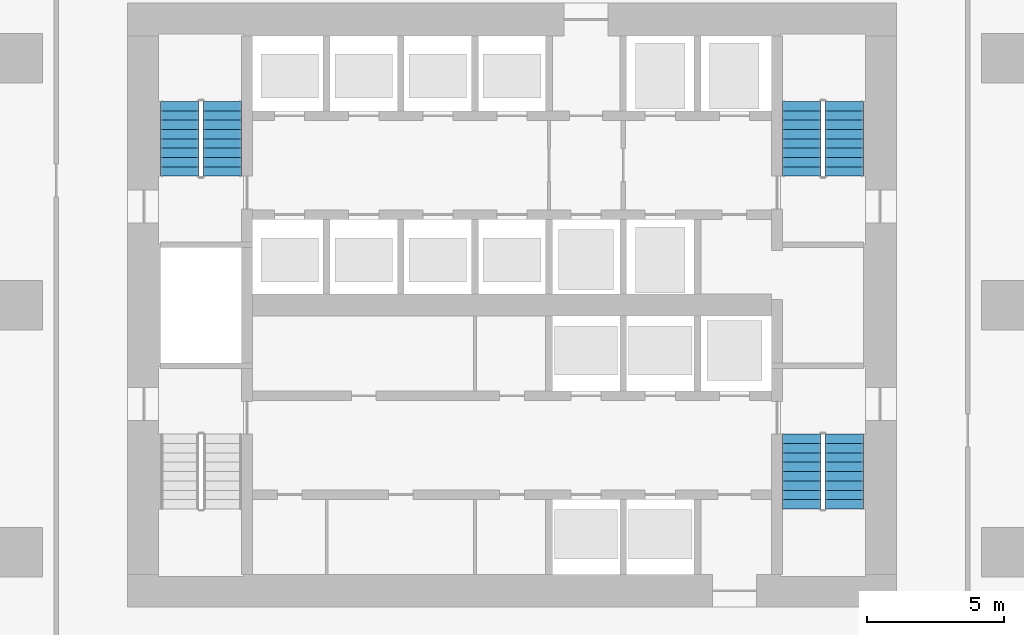
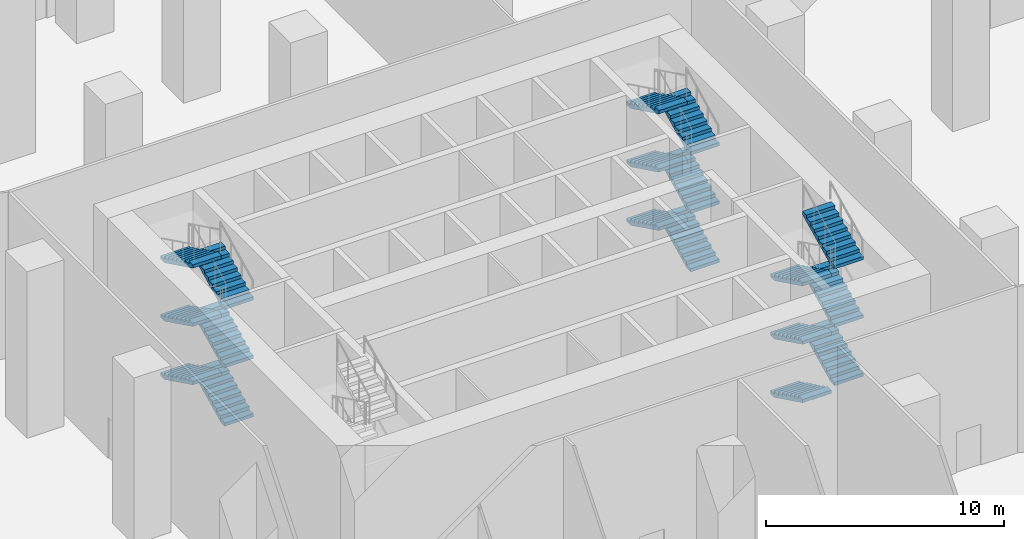
# One storey, part 35 of 40: 18 stair flights, 3 elements without a shape of their own.
"""IFC4 building model written with IfcOpenShell, lengths in metres."""

from ifc_helpers import new_model, si_unit, direction, frame, origin, place, context, subcontext, project, spatial, polyline, outline, extrude, material, layer, layer_set, type_object, element, aggregate, save


model = new_model("IFC4")

# Units and contexts
model_context = context("Model", 3, precision=1e-05, world=origin(), true_north=direction((0.0, 1.0)))
body_context = subcontext(model_context, "Body", "Model", "MODEL_VIEW")
ifc_project = project(units=[si_unit("LENGTHUNIT", "METRE"), si_unit("AREAUNIT", "SQUARE_METRE"), si_unit("VOLUMEUNIT", "CUBIC_METRE"), si_unit("PLANEANGLEUNIT", "RADIAN"), si_unit("MASSUNIT", "GRAM", prefix="KILO")], contexts=[model_context])

# Site, building, storey
site_placement = place(None, origin())
site = spatial("IfcSite", under=ifc_project, at=site_placement, CompositionType="ELEMENT")
building_placement = place(site_placement, origin())
building = spatial("IfcBuilding", under=site, at=building_placement, Name="Dongbaek Canopy Tower", CompositionType="ELEMENT")
storey_placement = place(building_placement, origin())
storey = spatial("IfcBuildingStorey", under=building, at=storey_placement, Name="L00", CompositionType="ELEMENT", Elevation=0.0)

# Stair, stair flights
ifc_material_1 = material(Name="Concrete C40/50", Category="concrete")
stair_type = type_object("IfcStairType", Name="Core exit stair", PredefinedType="HALF_TURN_STAIR", material=ifc_material_1)
stair_1_placement = place(storey_placement, origin())
stair_1 = element("IfcStair", 1, at=stair_1_placement, inside=storey, type_object=stair_type, Name="L00 exit stair A", PredefinedType="HALF_TURN_STAIR")
ifc_material_2 = material(Name="Concrete C40/50", Category="concrete")
ifc_layer = layer(ifc_material_2, 0.14990234375)
ifc_layer_set = layer_set([ifc_layer], Name="Core stair flight 150 waist")
stair_flight_type = type_object("IfcStairFlightType", Name="Core stair flight 150 waist", PredefinedType="STRAIGHT", material=ifc_layer_set)
stair_flight_1_placement = place(storey_placement, frame((12.10009765625, 4.699951171875, 0.0), z_axis=(0.0, 0.0, 1.0), x_axis=(0.0, 1.0, 0.0)))
stair_flight_1 = element("IfcStairFlight", 2, at=stair_flight_1_placement, type_object=stair_flight_type, Name="ST-A flight 1", NumberOfRisers=9, NumberOfTreads=8, PredefinedType="STRAIGHT", RiserHeight=0.166666667, TreadLength=0.34, context=body_context, shape_type="SweptSolid", body=[
    extrude(outline(polyline([(0.0, 0.0), (0.0, 0.166748046875), (0.340087890625, 0.166748046875), (0.340087890625, 0.333251953125), (0.679931640625, 0.333251953125), (0.679931640625, 0.5), (1.02001953125, 0.5), (1.02001953125, 0.666748046875), (1.360107421875, 0.666748046875), (1.360107421875, 0.833251953125), (1.699951171875, 0.833251953125), (1.699951171875, 1.0), (2.0400390625, 1.0), (2.0400390625, 1.166748046875), (2.3798828125, 1.166748046875), (2.3798828125, 1.333251953125), (2.719970703125, 1.333251953125), (2.719970703125, 1.5), (2.719970703125, 1.16650390625), (0.340576171875, 0.0), (0.0, 0.0)])), frame((0.0, 0.699951171875, 0.0), z_axis=(0.0, -1.0, 0.0), x_axis=(1.0, 0.0, 0.0)), (0.0, 0.0, 1.0), 1.39990234375),
])
stair_flight_2_placement = place(storey_placement, frame((10.550048828125, 7.419921875, 1.5), z_axis=(0.0, 0.0, 1.0), x_axis=(0.0, -1.0, 0.0)))
stair_flight_2 = element("IfcStairFlight", 3, at=stair_flight_2_placement, type_object=stair_flight_type, Name="ST-A flight 2", NumberOfRisers=9, NumberOfTreads=8, PredefinedType="STRAIGHT", RiserHeight=0.166666667, TreadLength=0.34, context=body_context, shape_type="SweptSolid", body=[
    extrude(outline(polyline([(0.0, 0.0), (0.0, 0.166748046875), (0.340087890625, 0.166748046875), (0.340087890625, 0.333251953125), (0.679931640625, 0.333251953125), (0.679931640625, 0.5), (1.02001953125, 0.5), (1.02001953125, 0.666748046875), (1.360107421875, 0.666748046875), (1.360107421875, 0.833251953125), (1.699951171875, 0.833251953125), (1.699951171875, 1.0), (2.0400390625, 1.0), (2.0400390625, 1.166748046875), (2.3798828125, 1.166748046875), (2.3798828125, 1.333251953125), (2.719970703125, 1.333251953125), (2.719970703125, 1.5), (2.719970703125, 1.16650390625), (0.340576171875, 0.0), (0.0, 0.0)])), frame((0.0, 0.699951171875, 0.0), z_axis=(0.0, -1.0, 0.0), x_axis=(1.0, 0.0, 0.0)), (0.0, 0.0, 1.0), 1.39990234375),
])
stair_flight_3_placement = place(storey_placement, frame((12.10009765625, 4.699951171875, 3.0), z_axis=(0.0, 0.0, 1.0), x_axis=(0.0, 1.0, 0.0)))
stair_flight_3 = element("IfcStairFlight", 4, at=stair_flight_3_placement, type_object=stair_flight_type, Name="ST-A flight 3", NumberOfRisers=9, NumberOfTreads=8, PredefinedType="STRAIGHT", RiserHeight=0.166666667, TreadLength=0.34, context=body_context, shape_type="SweptSolid", body=[
    extrude(outline(polyline([(0.0, 0.0), (0.0, 0.166748046875), (0.340087890625, 0.166748046875), (0.340087890625, 0.333251953125), (0.679931640625, 0.333251953125), (0.679931640625, 0.5), (1.02001953125, 0.5), (1.02001953125, 0.666748046875), (1.360107421875, 0.666748046875), (1.360107421875, 0.833251953125), (1.699951171875, 0.833251953125), (1.699951171875, 1.0), (2.0400390625, 1.0), (2.0400390625, 1.166748046875), (2.3798828125, 1.166748046875), (2.3798828125, 1.333251953125), (2.719970703125, 1.333251953125), (2.719970703125, 1.5), (2.719970703125, 1.16650390625), (0.340576171875, 0.0), (0.0, 0.0)])), frame((0.0, 0.699951171875, 0.0), z_axis=(0.0, -1.0, 0.0), x_axis=(1.0, 0.0, 0.0)), (0.0, 0.0, 1.0), 1.39990234375),
])
stair_flight_4_placement = place(storey_placement, frame((10.550048828125, 7.419921875, 4.5), z_axis=(0.0, 0.0, 1.0), x_axis=(0.0, -1.0, 0.0)))
stair_flight_4 = element("IfcStairFlight", 5, at=stair_flight_4_placement, type_object=stair_flight_type, Name="ST-A flight 4", NumberOfRisers=9, NumberOfTreads=8, PredefinedType="STRAIGHT", RiserHeight=0.166666667, TreadLength=0.34, context=body_context, shape_type="SweptSolid", body=[
    extrude(outline(polyline([(0.0, 0.0), (0.0, 0.166748046875), (0.340087890625, 0.166748046875), (0.340087890625, 0.333251953125), (0.679931640625, 0.333251953125), (0.679931640625, 0.5), (1.02001953125, 0.5), (1.02001953125, 0.666748046875), (1.360107421875, 0.666748046875), (1.360107421875, 0.833251953125), (1.699951171875, 0.833251953125), (1.699951171875, 1.0), (2.0400390625, 1.0), (2.0400390625, 1.166748046875), (2.3798828125, 1.166748046875), (2.3798828125, 1.333251953125), (2.719970703125, 1.333251953125), (2.719970703125, 1.5), (2.719970703125, 1.16650390625), (0.340576171875, 0.0), (0.0, 0.0)])), frame((0.0, 0.699951171875, 0.0), z_axis=(0.0, -1.0, 0.0), x_axis=(1.0, 0.0, 0.0)), (0.0, 0.0, 1.0), 1.39990234375),
])
stair_flight_5_placement = place(storey_placement, frame((12.10009765625, 4.699951171875, 6.0), z_axis=(0.0, 0.0, 1.0), x_axis=(0.0, 1.0, 0.0)))
stair_flight_5 = element("IfcStairFlight", 6, at=stair_flight_5_placement, type_object=stair_flight_type, Name="ST-A flight 5", NumberOfRisers=9, NumberOfTreads=8, PredefinedType="STRAIGHT", RiserHeight=0.166666667, TreadLength=0.34, context=body_context, shape_type="SweptSolid", body=[
    extrude(outline(polyline([(0.0, 0.0), (0.0, 0.166748046875), (0.340087890625, 0.166748046875), (0.340087890625, 0.333251953125), (0.679931640625, 0.333251953125), (0.679931640625, 0.5), (1.02001953125, 0.5), (1.02001953125, 0.666748046875), (1.360107421875, 0.666748046875), (1.360107421875, 0.833251953125), (1.699951171875, 0.833251953125), (1.699951171875, 1.0), (2.0400390625, 1.0), (2.0400390625, 1.166748046875), (2.3798828125, 1.166748046875), (2.3798828125, 1.333251953125), (2.719970703125, 1.333251953125), (2.719970703125, 1.5), (2.719970703125, 1.16650390625), (0.340576171875, 0.0), (0.0, 0.0)])), frame((0.0, 0.699951171875, 0.0), z_axis=(0.0, -1.0, 0.0), x_axis=(1.0, 0.0, 0.0)), (0.0, 0.0, 1.0), 1.39990234375),
])
stair_flight_6_placement = place(storey_placement, frame((10.550048828125, 7.419921875, 7.5), z_axis=(0.0, 0.0, 1.0), x_axis=(0.0, -1.0, 0.0)))
stair_flight_6 = element("IfcStairFlight", 7, at=stair_flight_6_placement, type_object=stair_flight_type, Name="ST-A flight 6", NumberOfRisers=9, NumberOfTreads=8, PredefinedType="STRAIGHT", RiserHeight=0.166666667, TreadLength=0.34, context=body_context, shape_type="SweptSolid", body=[
    extrude(outline(polyline([(0.0, 0.0), (0.0, 0.166748046875), (0.340087890625, 0.166748046875), (0.340087890625, 0.333251953125), (0.679931640625, 0.333251953125), (0.679931640625, 0.5), (1.02001953125, 0.5), (1.02001953125, 0.666748046875), (1.360107421875, 0.666748046875), (1.360107421875, 0.833251953125), (1.699951171875, 0.833251953125), (1.699951171875, 1.0), (2.0400390625, 1.0), (2.0400390625, 1.166748046875), (2.3798828125, 1.166748046875), (2.3798828125, 1.333251953125), (2.719970703125, 1.333251953125), (2.719970703125, 1.5), (2.719970703125, 1.16650390625), (0.340576171875, 0.0), (0.0, 0.0)])), frame((0.0, 0.699951171875, 0.0), z_axis=(0.0, -1.0, 0.0), x_axis=(1.0, 0.0, 0.0)), (0.0, 0.0, 1.0), 1.39990234375),
])
aggregate(stair_1, [stair_flight_1, stair_flight_2, stair_flight_3, stair_flight_4, stair_flight_5, stair_flight_6])

stair_2_placement = place(storey_placement, origin())
stair_2 = element("IfcStair", 8, at=stair_2_placement, inside=storey, type_object=stair_type, Name="L00 exit stair C", PredefinedType="HALF_TURN_STAIR")
stair_flight_7_placement = place(storey_placement, frame((-10.550048828125, 4.699951171875, 0.0), z_axis=(0.0, 0.0, 1.0), x_axis=(0.0, 1.0, 0.0)))
stair_flight_7 = element("IfcStairFlight", 9, at=stair_flight_7_placement, type_object=stair_flight_type, Name="ST-C flight 1", NumberOfRisers=9, NumberOfTreads=8, PredefinedType="STRAIGHT", RiserHeight=0.166666667, TreadLength=0.34, context=body_context, shape_type="SweptSolid", body=[
    extrude(outline(polyline([(0.0, 0.0), (0.0, 0.166748046875), (0.340087890625, 0.166748046875), (0.340087890625, 0.333251953125), (0.679931640625, 0.333251953125), (0.679931640625, 0.5), (1.02001953125, 0.5), (1.02001953125, 0.666748046875), (1.360107421875, 0.666748046875), (1.360107421875, 0.833251953125), (1.699951171875, 0.833251953125), (1.699951171875, 1.0), (2.0400390625, 1.0), (2.0400390625, 1.166748046875), (2.3798828125, 1.166748046875), (2.3798828125, 1.333251953125), (2.719970703125, 1.333251953125), (2.719970703125, 1.5), (2.719970703125, 1.16650390625), (0.340576171875, 0.0), (0.0, 0.0)])), frame((0.0, 0.699951171875, 0.0), z_axis=(0.0, -1.0, 0.0), x_axis=(1.0, 0.0, 0.0)), (0.0, 0.0, 1.0), 1.39990234375),
])
stair_flight_8_placement = place(storey_placement, frame((-12.10009765625, 7.419921875, 1.5), z_axis=(0.0, 0.0, 1.0), x_axis=(0.0, -1.0, 0.0)))
stair_flight_8 = element("IfcStairFlight", 10, at=stair_flight_8_placement, type_object=stair_flight_type, Name="ST-C flight 2", NumberOfRisers=9, NumberOfTreads=8, PredefinedType="STRAIGHT", RiserHeight=0.166666667, TreadLength=0.34, context=body_context, shape_type="SweptSolid", body=[
    extrude(outline(polyline([(0.0, 0.0), (0.0, 0.166748046875), (0.340087890625, 0.166748046875), (0.340087890625, 0.333251953125), (0.679931640625, 0.333251953125), (0.679931640625, 0.5), (1.02001953125, 0.5), (1.02001953125, 0.666748046875), (1.360107421875, 0.666748046875), (1.360107421875, 0.833251953125), (1.699951171875, 0.833251953125), (1.699951171875, 1.0), (2.0400390625, 1.0), (2.0400390625, 1.166748046875), (2.3798828125, 1.166748046875), (2.3798828125, 1.333251953125), (2.719970703125, 1.333251953125), (2.719970703125, 1.5), (2.719970703125, 1.16650390625), (0.340576171875, 0.0), (0.0, 0.0)])), frame((0.0, 0.699951171875, 0.0), z_axis=(0.0, -1.0, 0.0), x_axis=(1.0, 0.0, 0.0)), (0.0, 0.0, 1.0), 1.39990234375),
])
stair_flight_9_placement = place(storey_placement, frame((-10.550048828125, 4.699951171875, 3.0), z_axis=(0.0, 0.0, 1.0), x_axis=(0.0, 1.0, 0.0)))
stair_flight_9 = element("IfcStairFlight", 11, at=stair_flight_9_placement, type_object=stair_flight_type, Name="ST-C flight 3", NumberOfRisers=9, NumberOfTreads=8, PredefinedType="STRAIGHT", RiserHeight=0.166666667, TreadLength=0.34, context=body_context, shape_type="SweptSolid", body=[
    extrude(outline(polyline([(0.0, 0.0), (0.0, 0.166748046875), (0.340087890625, 0.166748046875), (0.340087890625, 0.333251953125), (0.679931640625, 0.333251953125), (0.679931640625, 0.5), (1.02001953125, 0.5), (1.02001953125, 0.666748046875), (1.360107421875, 0.666748046875), (1.360107421875, 0.833251953125), (1.699951171875, 0.833251953125), (1.699951171875, 1.0), (2.0400390625, 1.0), (2.0400390625, 1.166748046875), (2.3798828125, 1.166748046875), (2.3798828125, 1.333251953125), (2.719970703125, 1.333251953125), (2.719970703125, 1.5), (2.719970703125, 1.16650390625), (0.340576171875, 0.0), (0.0, 0.0)])), frame((0.0, 0.699951171875, 0.0), z_axis=(0.0, -1.0, 0.0), x_axis=(1.0, 0.0, 0.0)), (0.0, 0.0, 1.0), 1.39990234375),
])
stair_flight_10_placement = place(storey_placement, frame((-12.10009765625, 7.419921875, 4.5), z_axis=(0.0, 0.0, 1.0), x_axis=(0.0, -1.0, 0.0)))
stair_flight_10 = element("IfcStairFlight", 12, at=stair_flight_10_placement, type_object=stair_flight_type, Name="ST-C flight 4", NumberOfRisers=9, NumberOfTreads=8, PredefinedType="STRAIGHT", RiserHeight=0.166666667, TreadLength=0.34, context=body_context, shape_type="SweptSolid", body=[
    extrude(outline(polyline([(0.0, 0.0), (0.0, 0.166748046875), (0.340087890625, 0.166748046875), (0.340087890625, 0.333251953125), (0.679931640625, 0.333251953125), (0.679931640625, 0.5), (1.02001953125, 0.5), (1.02001953125, 0.666748046875), (1.360107421875, 0.666748046875), (1.360107421875, 0.833251953125), (1.699951171875, 0.833251953125), (1.699951171875, 1.0), (2.0400390625, 1.0), (2.0400390625, 1.166748046875), (2.3798828125, 1.166748046875), (2.3798828125, 1.333251953125), (2.719970703125, 1.333251953125), (2.719970703125, 1.5), (2.719970703125, 1.16650390625), (0.340576171875, 0.0), (0.0, 0.0)])), frame((0.0, 0.699951171875, 0.0), z_axis=(0.0, -1.0, 0.0), x_axis=(1.0, 0.0, 0.0)), (0.0, 0.0, 1.0), 1.39990234375),
])
stair_flight_11_placement = place(storey_placement, frame((-10.550048828125, 4.699951171875, 6.0), z_axis=(0.0, 0.0, 1.0), x_axis=(0.0, 1.0, 0.0)))
stair_flight_11 = element("IfcStairFlight", 13, at=stair_flight_11_placement, type_object=stair_flight_type, Name="ST-C flight 5", NumberOfRisers=9, NumberOfTreads=8, PredefinedType="STRAIGHT", RiserHeight=0.166666667, TreadLength=0.34, context=body_context, shape_type="SweptSolid", body=[
    extrude(outline(polyline([(0.0, 0.0), (0.0, 0.166748046875), (0.340087890625, 0.166748046875), (0.340087890625, 0.333251953125), (0.679931640625, 0.333251953125), (0.679931640625, 0.5), (1.02001953125, 0.5), (1.02001953125, 0.666748046875), (1.360107421875, 0.666748046875), (1.360107421875, 0.833251953125), (1.699951171875, 0.833251953125), (1.699951171875, 1.0), (2.0400390625, 1.0), (2.0400390625, 1.166748046875), (2.3798828125, 1.166748046875), (2.3798828125, 1.333251953125), (2.719970703125, 1.333251953125), (2.719970703125, 1.5), (2.719970703125, 1.16650390625), (0.340576171875, 0.0), (0.0, 0.0)])), frame((0.0, 0.699951171875, 0.0), z_axis=(0.0, -1.0, 0.0), x_axis=(1.0, 0.0, 0.0)), (0.0, 0.0, 1.0), 1.39990234375),
])
stair_flight_12_placement = place(storey_placement, frame((-12.10009765625, 7.419921875, 7.5), z_axis=(0.0, 0.0, 1.0), x_axis=(0.0, -1.0, 0.0)))
stair_flight_12 = element("IfcStairFlight", 14, at=stair_flight_12_placement, type_object=stair_flight_type, Name="ST-C flight 6", NumberOfRisers=9, NumberOfTreads=8, PredefinedType="STRAIGHT", RiserHeight=0.166666667, TreadLength=0.34, context=body_context, shape_type="SweptSolid", body=[
    extrude(outline(polyline([(0.0, 0.0), (0.0, 0.166748046875), (0.340087890625, 0.166748046875), (0.340087890625, 0.333251953125), (0.679931640625, 0.333251953125), (0.679931640625, 0.5), (1.02001953125, 0.5), (1.02001953125, 0.666748046875), (1.360107421875, 0.666748046875), (1.360107421875, 0.833251953125), (1.699951171875, 0.833251953125), (1.699951171875, 1.0), (2.0400390625, 1.0), (2.0400390625, 1.166748046875), (2.3798828125, 1.166748046875), (2.3798828125, 1.333251953125), (2.719970703125, 1.333251953125), (2.719970703125, 1.5), (2.719970703125, 1.16650390625), (0.340576171875, 0.0), (0.0, 0.0)])), frame((0.0, 0.699951171875, 0.0), z_axis=(0.0, -1.0, 0.0), x_axis=(1.0, 0.0, 0.0)), (0.0, 0.0, 1.0), 1.39990234375),
])
aggregate(stair_2, [stair_flight_7, stair_flight_8, stair_flight_9, stair_flight_10, stair_flight_11, stair_flight_12])

stair_3_placement = place(storey_placement, origin())
stair_3 = element("IfcStair", 15, at=stair_3_placement, inside=storey, type_object=stair_type, Name="L00 exit stair B", PredefinedType="HALF_TURN_STAIR")
stair_flight_13_placement = place(storey_placement, frame((10.550048828125, -4.699951171875, 0.0), z_axis=(0.0, 0.0, 1.0), x_axis=(0.0, -1.0, 0.0)))
stair_flight_13 = element("IfcStairFlight", 16, at=stair_flight_13_placement, type_object=stair_flight_type, Name="ST-B flight 1", NumberOfRisers=9, NumberOfTreads=8, PredefinedType="STRAIGHT", RiserHeight=0.166666667, TreadLength=0.34, context=body_context, shape_type="SweptSolid", body=[
    extrude(outline(polyline([(0.0, 0.0), (0.0, 0.166748046875), (0.340087890625, 0.166748046875), (0.340087890625, 0.333251953125), (0.679931640625, 0.333251953125), (0.679931640625, 0.5), (1.02001953125, 0.5), (1.02001953125, 0.666748046875), (1.360107421875, 0.666748046875), (1.360107421875, 0.833251953125), (1.699951171875, 0.833251953125), (1.699951171875, 1.0), (2.0400390625, 1.0), (2.0400390625, 1.166748046875), (2.3798828125, 1.166748046875), (2.3798828125, 1.333251953125), (2.719970703125, 1.333251953125), (2.719970703125, 1.5), (2.719970703125, 1.16650390625), (0.340576171875, 0.0), (0.0, 0.0)])), frame((0.0, 0.699951171875, 0.0), z_axis=(0.0, -1.0, 0.0), x_axis=(1.0, 0.0, 0.0)), (0.0, 0.0, 1.0), 1.39990234375),
])
stair_flight_14_placement = place(storey_placement, frame((12.10009765625, -7.419921875, 1.5), z_axis=(0.0, 0.0, 1.0), x_axis=(0.0, 1.0, 0.0)))
stair_flight_14 = element("IfcStairFlight", 17, at=stair_flight_14_placement, type_object=stair_flight_type, Name="ST-B flight 2", NumberOfRisers=9, NumberOfTreads=8, PredefinedType="STRAIGHT", RiserHeight=0.166666667, TreadLength=0.34, context=body_context, shape_type="SweptSolid", body=[
    extrude(outline(polyline([(0.0, 0.0), (0.0, 0.166748046875), (0.340087890625, 0.166748046875), (0.340087890625, 0.333251953125), (0.679931640625, 0.333251953125), (0.679931640625, 0.5), (1.02001953125, 0.5), (1.02001953125, 0.666748046875), (1.360107421875, 0.666748046875), (1.360107421875, 0.833251953125), (1.699951171875, 0.833251953125), (1.699951171875, 1.0), (2.0400390625, 1.0), (2.0400390625, 1.166748046875), (2.3798828125, 1.166748046875), (2.3798828125, 1.333251953125), (2.719970703125, 1.333251953125), (2.719970703125, 1.5), (2.719970703125, 1.16650390625), (0.340576171875, 0.0), (0.0, 0.0)])), frame((0.0, 0.699951171875, 0.0), z_axis=(0.0, -1.0, 0.0), x_axis=(1.0, 0.0, 0.0)), (0.0, 0.0, 1.0), 1.39990234375),
])
stair_flight_15_placement = place(storey_placement, frame((10.550048828125, -4.699951171875, 3.0), z_axis=(0.0, 0.0, 1.0), x_axis=(0.0, -1.0, 0.0)))
stair_flight_15 = element("IfcStairFlight", 18, at=stair_flight_15_placement, type_object=stair_flight_type, Name="ST-B flight 3", NumberOfRisers=9, NumberOfTreads=8, PredefinedType="STRAIGHT", RiserHeight=0.166666667, TreadLength=0.34, context=body_context, shape_type="SweptSolid", body=[
    extrude(outline(polyline([(0.0, 0.0), (0.0, 0.166748046875), (0.340087890625, 0.166748046875), (0.340087890625, 0.333251953125), (0.679931640625, 0.333251953125), (0.679931640625, 0.5), (1.02001953125, 0.5), (1.02001953125, 0.666748046875), (1.360107421875, 0.666748046875), (1.360107421875, 0.833251953125), (1.699951171875, 0.833251953125), (1.699951171875, 1.0), (2.0400390625, 1.0), (2.0400390625, 1.166748046875), (2.3798828125, 1.166748046875), (2.3798828125, 1.333251953125), (2.719970703125, 1.333251953125), (2.719970703125, 1.5), (2.719970703125, 1.16650390625), (0.340576171875, 0.0), (0.0, 0.0)])), frame((0.0, 0.699951171875, 0.0), z_axis=(0.0, -1.0, 0.0), x_axis=(1.0, 0.0, 0.0)), (0.0, 0.0, 1.0), 1.39990234375),
])
stair_flight_16_placement = place(storey_placement, frame((12.10009765625, -7.419921875, 4.5), z_axis=(0.0, 0.0, 1.0), x_axis=(0.0, 1.0, 0.0)))
stair_flight_16 = element("IfcStairFlight", 19, at=stair_flight_16_placement, type_object=stair_flight_type, Name="ST-B flight 4", NumberOfRisers=9, NumberOfTreads=8, PredefinedType="STRAIGHT", RiserHeight=0.166666667, TreadLength=0.34, context=body_context, shape_type="SweptSolid", body=[
    extrude(outline(polyline([(0.0, 0.0), (0.0, 0.166748046875), (0.340087890625, 0.166748046875), (0.340087890625, 0.333251953125), (0.679931640625, 0.333251953125), (0.679931640625, 0.5), (1.02001953125, 0.5), (1.02001953125, 0.666748046875), (1.360107421875, 0.666748046875), (1.360107421875, 0.833251953125), (1.699951171875, 0.833251953125), (1.699951171875, 1.0), (2.0400390625, 1.0), (2.0400390625, 1.166748046875), (2.3798828125, 1.166748046875), (2.3798828125, 1.333251953125), (2.719970703125, 1.333251953125), (2.719970703125, 1.5), (2.719970703125, 1.16650390625), (0.340576171875, 0.0), (0.0, 0.0)])), frame((0.0, 0.699951171875, 0.0), z_axis=(0.0, -1.0, 0.0), x_axis=(1.0, 0.0, 0.0)), (0.0, 0.0, 1.0), 1.39990234375),
])
stair_flight_17_placement = place(storey_placement, frame((10.550048828125, -4.699951171875, 6.0), z_axis=(0.0, 0.0, 1.0), x_axis=(0.0, -1.0, 0.0)))
stair_flight_17 = element("IfcStairFlight", 20, at=stair_flight_17_placement, type_object=stair_flight_type, Name="ST-B flight 5", NumberOfRisers=9, NumberOfTreads=8, PredefinedType="STRAIGHT", RiserHeight=0.166666667, TreadLength=0.34, context=body_context, shape_type="SweptSolid", body=[
    extrude(outline(polyline([(0.0, 0.0), (0.0, 0.166748046875), (0.340087890625, 0.166748046875), (0.340087890625, 0.333251953125), (0.679931640625, 0.333251953125), (0.679931640625, 0.5), (1.02001953125, 0.5), (1.02001953125, 0.666748046875), (1.360107421875, 0.666748046875), (1.360107421875, 0.833251953125), (1.699951171875, 0.833251953125), (1.699951171875, 1.0), (2.0400390625, 1.0), (2.0400390625, 1.166748046875), (2.3798828125, 1.166748046875), (2.3798828125, 1.333251953125), (2.719970703125, 1.333251953125), (2.719970703125, 1.5), (2.719970703125, 1.16650390625), (0.340576171875, 0.0), (0.0, 0.0)])), frame((0.0, 0.699951171875, 0.0), z_axis=(0.0, -1.0, 0.0), x_axis=(1.0, 0.0, 0.0)), (0.0, 0.0, 1.0), 1.39990234375),
])
stair_flight_18_placement = place(storey_placement, frame((12.10009765625, -7.419921875, 7.5), z_axis=(0.0, 0.0, 1.0), x_axis=(0.0, 1.0, 0.0)))
stair_flight_18 = element("IfcStairFlight", 21, at=stair_flight_18_placement, type_object=stair_flight_type, Name="ST-B flight 6", NumberOfRisers=9, NumberOfTreads=8, PredefinedType="STRAIGHT", RiserHeight=0.166666667, TreadLength=0.34, context=body_context, shape_type="SweptSolid", body=[
    extrude(outline(polyline([(0.0, 0.0), (0.0, 0.166748046875), (0.340087890625, 0.166748046875), (0.340087890625, 0.333251953125), (0.679931640625, 0.333251953125), (0.679931640625, 0.5), (1.02001953125, 0.5), (1.02001953125, 0.666748046875), (1.360107421875, 0.666748046875), (1.360107421875, 0.833251953125), (1.699951171875, 0.833251953125), (1.699951171875, 1.0), (2.0400390625, 1.0), (2.0400390625, 1.166748046875), (2.3798828125, 1.166748046875), (2.3798828125, 1.333251953125), (2.719970703125, 1.333251953125), (2.719970703125, 1.5), (2.719970703125, 1.16650390625), (0.340576171875, 0.0), (0.0, 0.0)])), frame((0.0, 0.699951171875, 0.0), z_axis=(0.0, -1.0, 0.0), x_axis=(1.0, 0.0, 0.0)), (0.0, 0.0, 1.0), 1.39990234375),
])
aggregate(stair_3, [stair_flight_13, stair_flight_14, stair_flight_15, stair_flight_16, stair_flight_17, stair_flight_18])

save(model, "model.ifc")
